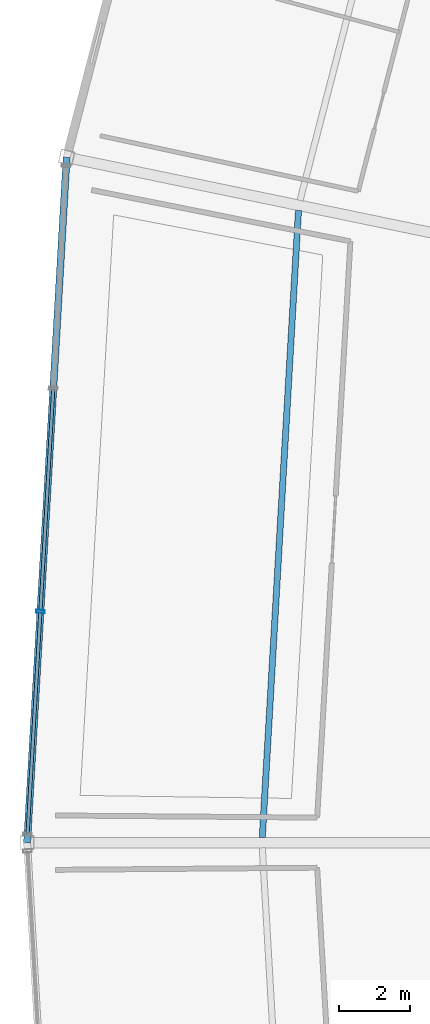
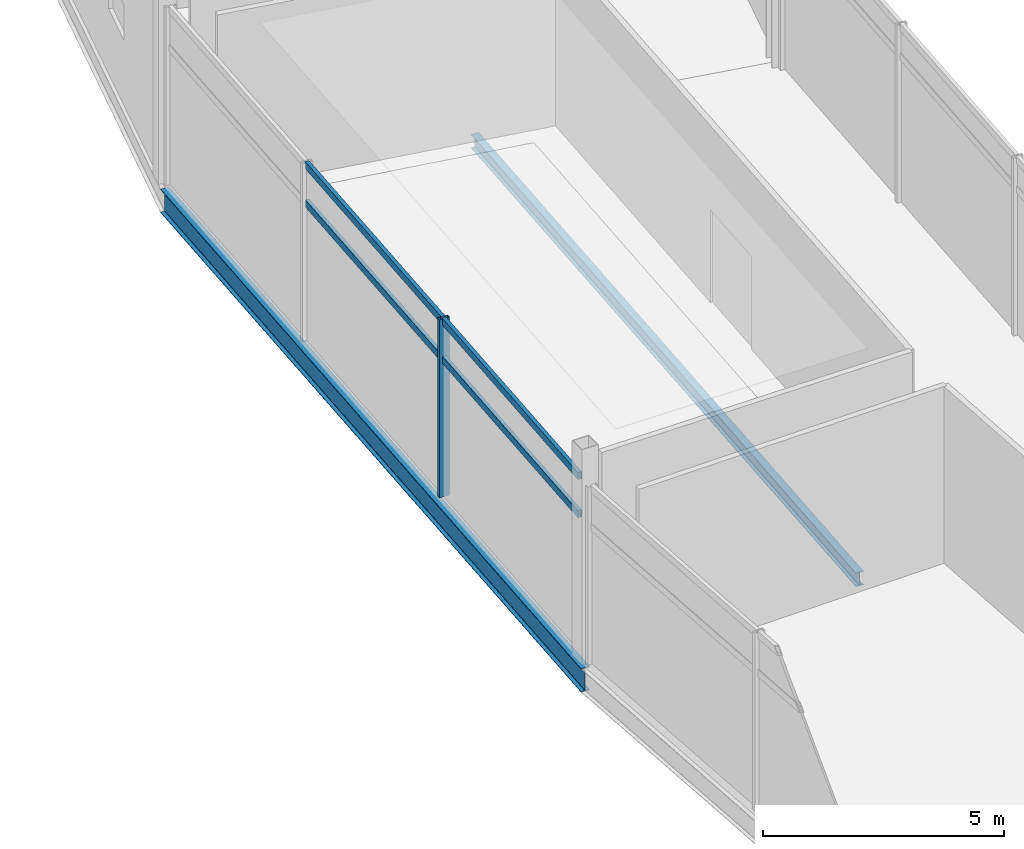
# One storey, part 40 of 86: 5 members, 2 beams, 1 element without a shape of its own.
"""IFC4 building model written with IfcOpenShell, lengths in metres."""

from ifc_helpers import new_model, si_unit, direction, frame, origin, origin_2d, place, context, subcontext, project, spatial, hollow_rectangle, i_section, extrude, material, layer, layer_set, material_profile, profile_set, type_object, element, aggregate, save


model = new_model("IFC4")

# Units and contexts
model_context = context("Model", 3, precision=1e-05, world=origin(), true_north=direction((0.0, 1.0)))
body_context = subcontext(model_context, "Body", "Model", "MODEL_VIEW")
ifc_project = project(units=[si_unit("LENGTHUNIT", "METRE"), si_unit("AREAUNIT", "SQUARE_METRE"), si_unit("VOLUMEUNIT", "CUBIC_METRE"), si_unit("PLANEANGLEUNIT", "RADIAN"), si_unit("MASSUNIT", "GRAM", prefix="KILO")], contexts=[model_context])

# Site, building, storey
site_placement = place(None, origin())
site = spatial("IfcSite", under=ifc_project, at=site_placement, CompositionType="ELEMENT")
building_placement = place(site_placement, origin())
building = spatial("IfcBuilding", under=site, at=building_placement, Name="Kazemori Nagisa Stadium", CompositionType="ELEMENT")
storey_placement = place(building_placement, frame((0.0, 0.0, 31.280029296875)))
storey = spatial("IfcBuildingStorey", under=building, at=storey_placement, Name="L06", CompositionType="ELEMENT", Elevation=31.280029296875)

# Beams
ifc_material_1 = material(Name="Steel SN490B", Category="steel")
ifc_material_profile_1 = material_profile(ifc_material_1, i_section(OverallWidth=0.175048828125, OverallDepth=0.35009765625, WebThickness=0.007080078125, FlangeThickness=0.010986328125, FilletRadius=0.012939453125, at=origin_2d()), Name="H-350x175x7x11")
ifc_profile_set_1 = profile_set([ifc_material_profile_1], Name="Steel SN490B")
beam_type_1 = type_object("IfcBeamType", Name="Beam_BJ-H350", PredefinedType="JOIST", material=ifc_profile_set_1)
beam_1_placement = place(storey_placement, frame((35.6826171875, 119.89501953125, -0.43505859375), z_axis=(-0.057603114818, -0.998339562055, 0.0), x_axis=(0.998339562055, -0.057603114818, 0.0)))
element("IfcBeam", 1, at=beam_1_placement, inside=storey, type_object=beam_type_1, Name="Outer bay joist BJ-H350 L06 B14", PredefinedType="JOIST", context=body_context, shape_type="SweptSolid", body=[
    extrude(i_section(OverallWidth=0.175048828125, OverallDepth=0.35009765625, WebThickness=0.007080078125, FlangeThickness=0.010986328125, FilletRadius=0.012939453125, at=origin_2d()), origin(), (0.0, 0.0, 1.0), 17.77978515625),
])
ifc_material_profile_2 = material_profile(ifc_material_1, i_section(OverallWidth=0.199951171875, OverallDepth=0.60009765625, WebThickness=0.010986328125, FlangeThickness=0.01708984375, FilletRadius=0.012939453125, at=origin_2d()), Name="H-600x200x11x17")
ifc_profile_set_2 = profile_set([ifc_material_profile_2], Name="Steel SN490B")
beam_type_2 = type_object("IfcBeamType", Name="Beam_BS-H600", PredefinedType="SPANDREL", material=ifc_profile_set_2)
beam_2_placement = place(storey_placement, frame((29.119140625, 121.397705078125, -0.56005859375), z_axis=(-0.057598702622, -0.998339816624, 0.0), x_axis=(0.998339816624, -0.057598702622, 0.0)))
element("IfcBeam", 2, at=beam_2_placement, inside=storey, type_object=beam_type_2, Name="Ring girder BS-H600 L06 R3-14", PredefinedType="SPANDREL", context=body_context, shape_type="SweptSolid", body=[
    extrude(i_section(OverallWidth=0.199951171875, OverallDepth=0.60009765625, WebThickness=0.010986328125, FlangeThickness=0.01708984375, FilletRadius=0.012939453125, at=origin_2d()), origin(), (0.0, 0.0, 1.0), 19.429931640625),
])

# Curtain wall, members
ifc_material_2 = material(Name="Anodised aluminium 6063-T5", Category="aluminium")
ifc_layer = layer(ifc_material_2, 0.239990234375, Name="Anodised aluminium 6063-T5", Category="aluminium")
ifc_layer_set = layer_set([ifc_layer], Name="Anodised aluminium 6063-T5")
curtain_wall_type = type_object("IfcCurtainWallType", Name="CW_L06R3_95", PredefinedType="USERDEFINED", material=ifc_layer_set)
curtain_wall_placement = place(storey_placement, origin())
curtain_wall = element("IfcCurtainWall", 3, at=curtain_wall_placement, inside=storey, type_object=curtain_wall_type, Name="Unitised curtain wall CW-L06R3-95 L06", ObjectType="UNITISED CURTAIN WALL", PredefinedType="USERDEFINED")
ifc_material_3 = material(Name="Aluminium 6063-T5 anodised", Category="aluminium")
ifc_material_profile_3 = material_profile(ifc_material_3, hollow_rectangle(XDim=0.090087890625, YDim=0.239990234375, WallThickness=0.0048828125, at=origin_2d()), Name="ALU-MULL-90x240x5")
ifc_profile_set_3 = profile_set([ifc_material_profile_3], Name="Aluminium 6063-T5 anodised")
member_type_1 = type_object("IfcMemberType", Name="Mullion_M03", PredefinedType="MULLION", material=ifc_profile_set_3)
member_1_placement = place(storey_placement, frame((28.377685546875, 108.544189453125, 0.0), z_axis=(0.0, 0.0, 1.0), x_axis=(-0.057601670941, -0.998339645364, 0.0)))
member_1 = element("IfcMember", 4, at=member_1_placement, type_object=member_type_1, Name="Curtain wall mullion CW-L06R3-95-M3", PredefinedType="MULLION", context=body_context, shape_type="SweptSolid", body=[
    extrude(hollow_rectangle(XDim=0.090087890625, YDim=0.239990234375, WallThickness=0.0048828125, at=origin_2d()), origin(), (0.0, 0.0, 1.0), 4.510009765625),
])
ifc_material_profile_4 = material_profile(ifc_material_3, hollow_rectangle(XDim=0.090087890625, YDim=0.179931640625, WallThickness=0.0048828125, at=origin_2d()), Name="ALU-TRAN-90x180x5")
ifc_profile_set_4 = profile_set([ifc_material_profile_4], Name="Aluminium 6063-T5 anodised")
member_type_2 = type_object("IfcMemberType", Name="Transom_T03", PredefinedType="USERDEFINED", material=ifc_profile_set_4)
member_2_placement = place(storey_placement, frame((28.740478515625, 114.833740234375, 3.47265625), z_axis=(-0.057612182374, -0.998339038825, 0.0), x_axis=(0.998339038825, -0.057612182374, 0.0)))
member_2 = element("IfcMember", 5, at=member_2_placement, type_object=member_type_2, Name="Curtain wall transom CW-L06R3-95-T2-mid", ObjectType="TRANSOM", PredefinedType="USERDEFINED", context=body_context, shape_type="SweptSolid", body=[
    extrude(hollow_rectangle(XDim=0.090087890625, YDim=0.179931640625, WallThickness=0.0048828125, at=origin_2d()), origin(), (0.0, 0.0, 1.0), 6.2802734375),
])
member_3_placement = place(storey_placement, frame((28.740478515625, 114.833740234375, 4.43994140625), z_axis=(-0.057612182374, -0.998339038825, 0.0), x_axis=(0.998339038825, -0.057612182374, 0.0)))
member_3 = element("IfcMember", 6, at=member_3_placement, type_object=member_type_2, Name="Curtain wall transom CW-L06R3-95-T2-head", ObjectType="TRANSOM", PredefinedType="USERDEFINED", context=body_context, shape_type="SweptSolid", body=[
    extrude(hollow_rectangle(XDim=0.090087890625, YDim=0.179931640625, WallThickness=0.0048828125, at=origin_2d()), origin(), (0.0, 0.0, 1.0), 6.2802734375),
])
member_4_placement = place(storey_placement, frame((28.37646484375, 108.524169921875, 3.47265625), z_axis=(-0.057614418392, -0.998338909786, 0.0), x_axis=(0.998338909786, -0.057614418392, 0.0)))
member_4 = element("IfcMember", 7, at=member_4_placement, type_object=member_type_2, Name="Curtain wall transom CW-L06R3-95-T3-mid", ObjectType="TRANSOM", PredefinedType="USERDEFINED", context=body_context, shape_type="SweptSolid", body=[
    extrude(hollow_rectangle(XDim=0.090087890625, YDim=0.179931640625, WallThickness=0.0048828125, at=origin_2d()), origin(), (0.0, 0.0, 1.0), 6.280029296875),
])
member_5_placement = place(storey_placement, frame((28.37646484375, 108.524169921875, 4.43994140625), z_axis=(-0.057614418392, -0.998338909786, 0.0), x_axis=(0.998338909786, -0.057614418392, 0.0)))
member_5 = element("IfcMember", 8, at=member_5_placement, type_object=member_type_2, Name="Curtain wall transom CW-L06R3-95-T3-head", ObjectType="TRANSOM", PredefinedType="USERDEFINED", context=body_context, shape_type="SweptSolid", body=[
    extrude(hollow_rectangle(XDim=0.090087890625, YDim=0.179931640625, WallThickness=0.0048828125, at=origin_2d()), origin(), (0.0, 0.0, 1.0), 6.280029296875),
])
aggregate(curtain_wall, [member_1, member_2, member_3, member_4, member_5])

save(model, "model.ifc")
